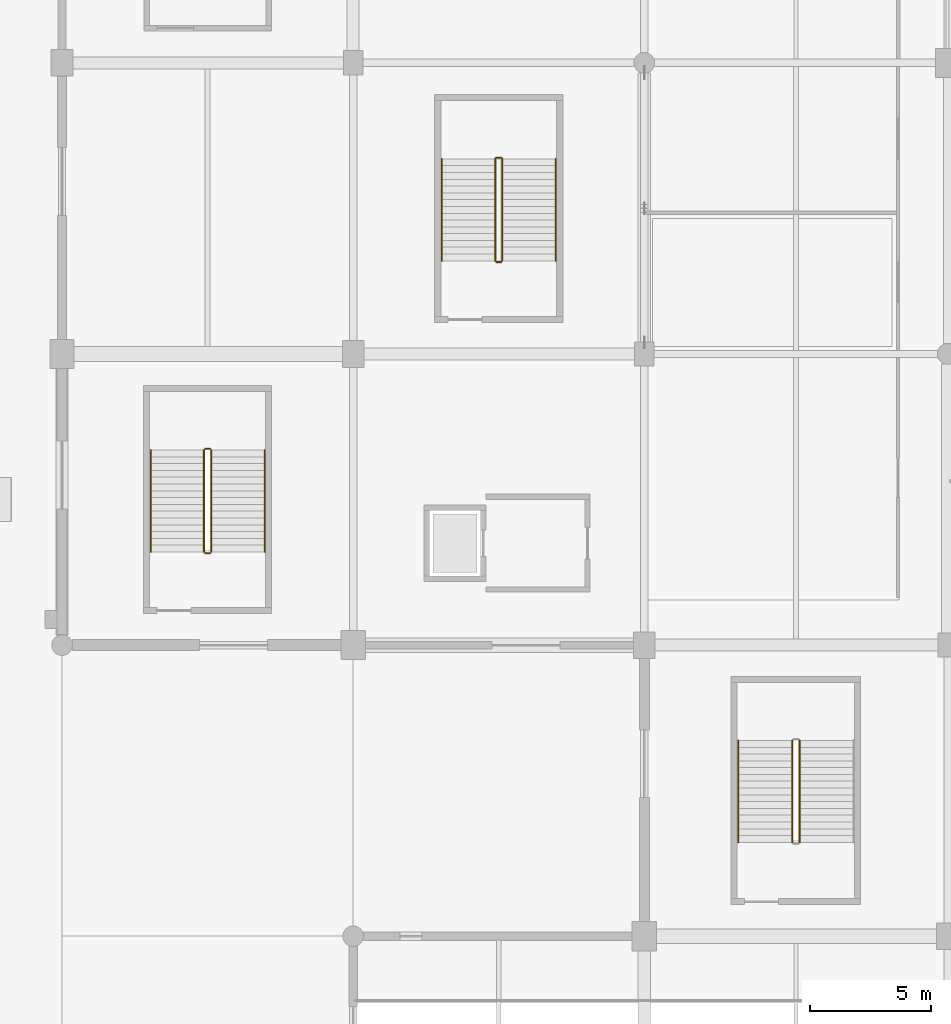
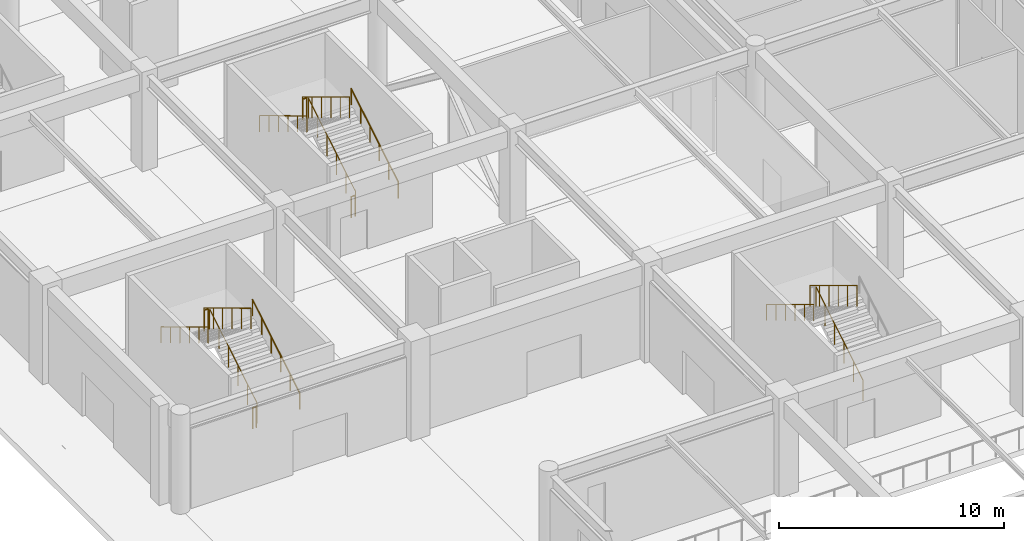
# One storey, part 41 of 69: 15 railings.
"""IFC4 building model written with IfcOpenShell, lengths in metres."""

from ifc_helpers import new_model, si_unit, direction, frame, origin, origin_2d, place, context, subcontext, project, spatial, circle, extrude, material, layer, layer_set, type_object, element, save


model = new_model("IFC4")

# Units and contexts
model_context = context("Model", 3, precision=1e-05, world=origin(), true_north=direction((0.0, 1.0)))
body_context = subcontext(model_context, "Body", "Model", "MODEL_VIEW")
ifc_project = project(units=[si_unit("LENGTHUNIT", "METRE"), si_unit("AREAUNIT", "SQUARE_METRE"), si_unit("VOLUMEUNIT", "CUBIC_METRE"), si_unit("PLANEANGLEUNIT", "RADIAN"), si_unit("MASSUNIT", "GRAM", prefix="KILO")], contexts=[model_context])

# Site, building, storey
site_placement = place(None, origin())
site = spatial("IfcSite", under=ifc_project, at=site_placement, CompositionType="ELEMENT")
building_placement = place(site_placement, origin())
building = spatial("IfcBuilding", under=site, at=building_placement, Name="Kazenohara Klinker Stadium", CompositionType="ELEMENT")
storey_placement = place(building_placement, origin())
storey = spatial("IfcBuildingStorey", under=building, at=storey_placement, Name="L00", CompositionType="ELEMENT", Elevation=0.0)

# Railings
ifc_material_1 = material(Name="Brushed stainless steel 304 handrail", Category="steel")
ifc_layer_1 = layer(ifc_material_1, 0.050048828125)
ifc_layer_set_1 = layer_set([ifc_layer_1], Name="Brushed stainless steel 304 handrail")
railing_type_1 = type_object("IfcRailingType", Name="RL-HND-900", PredefinedType="HANDRAIL", material=ifc_layer_set_1)
railing_1_placement = place(storey_placement, frame((8.35009765625, 39.840087890625, 0.168701171875)))
element("IfcRailing", 1, at=railing_1_placement, inside=storey, type_object=railing_type_1, Name="L00 ST01 stair handrail 1", PredefinedType="HANDRAIL", context=body_context, shape_type="SweptSolid", body=[
    extrude(circle(Radius=0.02392578125, at=origin_2d()), frame((0.0, 0.0, 0.8759765625), z_axis=(0.0, 0.856476492594, 0.516186030065), x_axis=(-1.0, 0.0, 0.0)), (0.0, 0.0, 1.0), 4.90380859375),
    extrude(circle(Radius=0.02099609375, at=origin_2d()), origin(), (0.0, 0.0, 1.0), 0.851806640625),
    extrude(circle(Radius=0.02099609375, at=origin_2d()), frame((0.0, 0.840087890625, 0.50634765625)), (0.0, 0.0, 1.0), 0.851806640625),
    extrude(circle(Radius=0.02099609375, at=origin_2d()), frame((0.0, 1.679931640625, 1.012451171875)), (0.0, 0.0, 1.0), 0.851806640625),
    extrude(circle(Radius=0.02099609375, at=origin_2d()), frame((0.0, 2.52001953125, 1.518798828125)), (0.0, 0.0, 1.0), 0.851806640625),
    extrude(circle(Radius=0.02099609375, at=origin_2d()), frame((0.0, 3.35986328125, 2.02490234375)), (0.0, 0.0, 1.0), 0.851806640625),
    extrude(circle(Radius=0.02099609375, at=origin_2d()), frame((0.0, 4.199951171875, 2.53125)), (0.0, 0.0, 1.0), 0.851806640625),
])
for number, where, name in (
    (2, (3.64990234375, 44.0400390625, 2.86865234375), "L00 ST01 stair handrail 2"),
    (3, (27.8701171875, 32.070068359375, 2.86865234375), "L00 ST07 stair handrail 2"),
):
    element("IfcRailing", number, at=place(storey_placement, frame(where)), inside=storey, type_object=railing_type_1, Name=name, PredefinedType="HANDRAIL", context=body_context, shape_type="SweptSolid", body=[
        extrude(circle(Radius=0.02392578125, at=origin_2d()), frame((0.0, 0.0, 0.8759765625), z_axis=(0.0, -0.856476492594, 0.516186030065), x_axis=(1.0, 0.0, 0.0)), (0.0, 0.0, 1.0), 4.90380859375),
        extrude(circle(Radius=0.02099609375, at=origin_2d()), origin(), (0.0, 0.0, 1.0), 0.851806640625),
        extrude(circle(Radius=0.02099609375, at=origin_2d()), frame((0.0, -0.840087890625, 0.50634765625)), (0.0, 0.0, 1.0), 0.851806640625),
        extrude(circle(Radius=0.02099609375, at=origin_2d()), frame((0.0, -1.679931640625, 1.012451171875)), (0.0, 0.0, 1.0), 0.851806640625),
        extrude(circle(Radius=0.02099609375, at=origin_2d()), frame((0.0, -2.52001953125, 1.518798828125)), (0.0, 0.0, 1.0), 0.851806640625),
        extrude(circle(Radius=0.02099609375, at=origin_2d()), frame((0.0, -3.35986328125, 2.02490234375)), (0.0, 0.0, 1.0), 0.851806640625),
        extrude(circle(Radius=0.02099609375, at=origin_2d()), frame((0.0, -4.199951171875, 2.53125)), (0.0, 0.0, 1.0), 0.851806640625),
    ])
railing_2_placement = place(storey_placement, frame((20.35009765625, 51.840087890625, 0.168701171875)))
element("IfcRailing", 4, at=railing_2_placement, inside=storey, type_object=railing_type_1, Name="L00 ST13 stair handrail 1", PredefinedType="HANDRAIL", context=body_context, shape_type="SweptSolid", body=[
    extrude(circle(Radius=0.02392578125, at=origin_2d()), frame((0.0, 0.0, 0.8759765625), z_axis=(0.0, 0.856476492594, 0.516186030065), x_axis=(-1.0, 0.0, 0.0)), (0.0, 0.0, 1.0), 4.90380859375),
    extrude(circle(Radius=0.02099609375, at=origin_2d()), origin(), (0.0, 0.0, 1.0), 0.851806640625),
    extrude(circle(Radius=0.02099609375, at=origin_2d()), frame((0.0, 0.840087890625, 0.50634765625)), (0.0, 0.0, 1.0), 0.851806640625),
    extrude(circle(Radius=0.02099609375, at=origin_2d()), frame((0.0, 1.679931640625, 1.012451171875)), (0.0, 0.0, 1.0), 0.851806640625),
    extrude(circle(Radius=0.02099609375, at=origin_2d()), frame((0.0, 2.52001953125, 1.518798828125)), (0.0, 0.0, 1.0), 0.851806640625),
    extrude(circle(Radius=0.02099609375, at=origin_2d()), frame((0.0, 3.35986328125, 2.02490234375)), (0.0, 0.0, 1.0), 0.851806640625),
    extrude(circle(Radius=0.02099609375, at=origin_2d()), frame((0.0, 4.199951171875, 2.53125)), (0.0, 0.0, 1.0), 0.851806640625),
])
railing_3_placement = place(storey_placement, frame((15.64990234375, 56.0400390625, 2.86865234375)))
element("IfcRailing", 5, at=railing_3_placement, inside=storey, type_object=railing_type_1, Name="L00 ST13 stair handrail 2", PredefinedType="HANDRAIL", context=body_context, shape_type="SweptSolid", body=[
    extrude(circle(Radius=0.02392578125, at=origin_2d()), frame((0.0, 0.0, 0.8759765625), z_axis=(0.0, -0.856476492594, 0.516186030065), x_axis=(1.0, 0.0, 0.0)), (0.0, 0.0, 1.0), 4.90380859375),
    extrude(circle(Radius=0.02099609375, at=origin_2d()), origin(), (0.0, 0.0, 1.0), 0.851806640625),
    extrude(circle(Radius=0.02099609375, at=origin_2d()), frame((0.0, -0.840087890625, 0.50634765625)), (0.0, 0.0, 1.0), 0.851806640625),
    extrude(circle(Radius=0.02099609375, at=origin_2d()), frame((0.0, -1.679931640625, 1.012451171875)), (0.0, 0.0, 1.0), 0.851806640625),
    extrude(circle(Radius=0.02099609375, at=origin_2d()), frame((0.0, -2.52001953125, 1.518798828125)), (0.0, 0.0, 1.0), 0.851806640625),
    extrude(circle(Radius=0.02099609375, at=origin_2d()), frame((0.0, -3.35986328125, 2.02490234375)), (0.0, 0.0, 1.0), 0.851806640625),
    extrude(circle(Radius=0.02099609375, at=origin_2d()), frame((0.0, -4.199951171875, 2.53125)), (0.0, 0.0, 1.0), 0.851806640625),
])
ifc_material_2 = material(Name="Painted steel stairwell guardrail", Category="steel")
ifc_layer_2 = layer(ifc_material_2, 0.06005859375)
ifc_layer_set_2 = layer_set([ifc_layer_2], Name="Painted steel stairwell guardrail")
railing_type_2 = type_object("IfcRailingType", Name="RL-STG-1120", PredefinedType="GUARDRAIL", material=ifc_layer_set_2)
railing_4_placement = place(storey_placement, frame((6.14990234375, 39.840087890625, 0.168701171875)))
element("IfcRailing", 6, at=railing_4_placement, inside=storey, type_object=railing_type_2, Name="L00 ST01 stair guard 1", PredefinedType="GUARDRAIL", context=body_context, shape_type="SweptSolid", body=[
    extrude(circle(Radius=0.02392578125, at=origin_2d()), frame((0.0, 0.0, 1.1259765625), z_axis=(0.0, 0.856476492594, 0.516186030065), x_axis=(-1.0, 0.0, 0.0)), (0.0, 0.0, 1.0), 4.90380859375),
    extrude(circle(Radius=0.02099609375, at=origin_2d()), origin(), (0.0, 0.0, 1.0), 1.101806640625),
    extrude(circle(Radius=0.02099609375, at=origin_2d()), frame((0.0, 0.840087890625, 0.50634765625)), (0.0, 0.0, 1.0), 1.101806640625),
    extrude(circle(Radius=0.02099609375, at=origin_2d()), frame((0.0, 1.679931640625, 1.012451171875)), (0.0, 0.0, 1.0), 1.101806640625),
    extrude(circle(Radius=0.02099609375, at=origin_2d()), frame((0.0, 2.52001953125, 1.518798828125)), (0.0, 0.0, 1.0), 1.101806640625),
    extrude(circle(Radius=0.02099609375, at=origin_2d()), frame((0.0, 3.35986328125, 2.02490234375)), (0.0, 0.0, 1.0), 1.101806640625),
    extrude(circle(Radius=0.02099609375, at=origin_2d()), frame((0.0, 4.199951171875, 2.53125)), (0.0, 0.0, 1.0), 1.101806640625),
])
railing_5_placement = place(storey_placement, frame((6.10009765625, 44.090087890625, 2.699951171875)))
element("IfcRailing", 7, at=railing_5_placement, inside=storey, type_object=railing_type_2, Name="L00 ST01 stair guard 2", PredefinedType="GUARDRAIL", context=body_context, shape_type="SweptSolid", body=[
    extrude(circle(Radius=0.02392578125, at=origin_2d()), frame((0.0, 0.0, 1.1259765625), z_axis=(-1.0, 0.0, 0.0), x_axis=(0.0, -1.0, 0.0)), (0.0, 0.0, 1.0), 0.2001953125),
    extrude(circle(Radius=0.02099609375, at=origin_2d()), origin(), (0.0, 0.0, 1.0), 1.101806640625),
    extrude(circle(Radius=0.02099609375, at=origin_2d()), frame((-0.2001953125, 0.0, 0.0)), (0.0, 0.0, 1.0), 1.101806640625),
])
railing_6_placement = place(storey_placement, frame((5.85009765625, 44.0400390625, 2.86865234375)))
element("IfcRailing", 8, at=railing_6_placement, inside=storey, type_object=railing_type_2, Name="L00 ST01 stair guard 3", PredefinedType="GUARDRAIL", context=body_context, shape_type="SweptSolid", body=[
    extrude(circle(Radius=0.02392578125, at=origin_2d()), frame((0.0, 0.0, 1.1259765625), z_axis=(0.0, -0.856476492594, 0.516186030065), x_axis=(1.0, 0.0, 0.0)), (0.0, 0.0, 1.0), 4.90380859375),
    extrude(circle(Radius=0.02099609375, at=origin_2d()), origin(), (0.0, 0.0, 1.0), 1.101806640625),
    extrude(circle(Radius=0.02099609375, at=origin_2d()), frame((0.0, -0.840087890625, 0.50634765625)), (0.0, 0.0, 1.0), 1.101806640625),
    extrude(circle(Radius=0.02099609375, at=origin_2d()), frame((0.0, -1.679931640625, 1.012451171875)), (0.0, 0.0, 1.0), 1.101806640625),
    extrude(circle(Radius=0.02099609375, at=origin_2d()), frame((0.0, -2.52001953125, 1.518798828125)), (0.0, 0.0, 1.0), 1.101806640625),
    extrude(circle(Radius=0.02099609375, at=origin_2d()), frame((0.0, -3.35986328125, 2.02490234375)), (0.0, 0.0, 1.0), 1.101806640625),
    extrude(circle(Radius=0.02099609375, at=origin_2d()), frame((0.0, -4.199951171875, 2.53125)), (0.0, 0.0, 1.0), 1.101806640625),
])
railing_7_placement = place(storey_placement, frame((6.10009765625, 39.7900390625, 0.0)))
element("IfcRailing", 9, at=railing_7_placement, inside=storey, type_object=railing_type_2, Name="L00 ST01 stair guard 4", PredefinedType="GUARDRAIL", context=body_context, shape_type="SweptSolid", body=[
    extrude(circle(Radius=0.02392578125, at=origin_2d()), frame((0.0, 0.0, 1.1259765625), z_axis=(-1.0, 0.0, 0.0), x_axis=(0.0, -1.0, 0.0)), (0.0, 0.0, 1.0), 0.2001953125),
    extrude(circle(Radius=0.02099609375, at=origin_2d()), origin(), (0.0, 0.0, 1.0), 1.101806640625),
    extrude(circle(Radius=0.02099609375, at=origin_2d()), frame((-0.2001953125, 0.0, 0.0)), (0.0, 0.0, 1.0), 1.101806640625),
])
railing_8_placement = place(storey_placement, frame((30.39990234375, 27.8701171875, 0.168701171875)))
element("IfcRailing", 10, at=railing_8_placement, inside=storey, type_object=railing_type_2, Name="L00 ST07 stair guard 1", PredefinedType="GUARDRAIL", context=body_context, shape_type="SweptSolid", body=[
    extrude(circle(Radius=0.02392578125, at=origin_2d()), frame((0.0, 0.0, 1.1259765625), z_axis=(0.0, 0.856476492594, 0.516186030065), x_axis=(-1.0, 0.0, 0.0)), (0.0, 0.0, 1.0), 4.90380859375),
    extrude(circle(Radius=0.02099609375, at=origin_2d()), origin(), (0.0, 0.0, 1.0), 1.101806640625),
    extrude(circle(Radius=0.02099609375, at=origin_2d()), frame((0.0, 0.840087890625, 0.50634765625)), (0.0, 0.0, 1.0), 1.101806640625),
    extrude(circle(Radius=0.02099609375, at=origin_2d()), frame((0.0, 1.679931640625, 1.012451171875)), (0.0, 0.0, 1.0), 1.101806640625),
    extrude(circle(Radius=0.02099609375, at=origin_2d()), frame((0.0, 2.52001953125, 1.518798828125)), (0.0, 0.0, 1.0), 1.101806640625),
    extrude(circle(Radius=0.02099609375, at=origin_2d()), frame((0.0, 3.35986328125, 2.02490234375)), (0.0, 0.0, 1.0), 1.101806640625),
    extrude(circle(Radius=0.02099609375, at=origin_2d()), frame((0.0, 4.199951171875, 2.53125)), (0.0, 0.0, 1.0), 1.101806640625),
])
railing_9_placement = place(storey_placement, frame((30.10009765625, 32.070068359375, 2.86865234375)))
element("IfcRailing", 11, at=railing_9_placement, inside=storey, type_object=railing_type_2, Name="L00 ST07 stair guard 3", PredefinedType="GUARDRAIL", context=body_context, shape_type="SweptSolid", body=[
    extrude(circle(Radius=0.02392578125, at=origin_2d()), frame((0.0, 0.0, 1.1259765625), z_axis=(0.0, -0.856476492594, 0.516186030065), x_axis=(1.0, 0.0, 0.0)), (0.0, 0.0, 1.0), 4.90380859375),
    extrude(circle(Radius=0.02099609375, at=origin_2d()), origin(), (0.0, 0.0, 1.0), 1.101806640625),
    extrude(circle(Radius=0.02099609375, at=origin_2d()), frame((0.0, -0.840087890625, 0.50634765625)), (0.0, 0.0, 1.0), 1.101806640625),
    extrude(circle(Radius=0.02099609375, at=origin_2d()), frame((0.0, -1.679931640625, 1.012451171875)), (0.0, 0.0, 1.0), 1.101806640625),
    extrude(circle(Radius=0.02099609375, at=origin_2d()), frame((0.0, -2.52001953125, 1.518798828125)), (0.0, 0.0, 1.0), 1.101806640625),
    extrude(circle(Radius=0.02099609375, at=origin_2d()), frame((0.0, -3.35986328125, 2.02490234375)), (0.0, 0.0, 1.0), 1.101806640625),
    extrude(circle(Radius=0.02099609375, at=origin_2d()), frame((0.0, -4.199951171875, 2.53125)), (0.0, 0.0, 1.0), 1.101806640625),
])
railing_10_placement = place(storey_placement, frame((18.14990234375, 51.840087890625, 0.168701171875)))
element("IfcRailing", 12, at=railing_10_placement, inside=storey, type_object=railing_type_2, Name="L00 ST13 stair guard 1", PredefinedType="GUARDRAIL", context=body_context, shape_type="SweptSolid", body=[
    extrude(circle(Radius=0.02392578125, at=origin_2d()), frame((0.0, 0.0, 1.1259765625), z_axis=(0.0, 0.856476492594, 0.516186030065), x_axis=(-1.0, 0.0, 0.0)), (0.0, 0.0, 1.0), 4.90380859375),
    extrude(circle(Radius=0.02099609375, at=origin_2d()), origin(), (0.0, 0.0, 1.0), 1.101806640625),
    extrude(circle(Radius=0.02099609375, at=origin_2d()), frame((0.0, 0.840087890625, 0.50634765625)), (0.0, 0.0, 1.0), 1.101806640625),
    extrude(circle(Radius=0.02099609375, at=origin_2d()), frame((0.0, 1.679931640625, 1.012451171875)), (0.0, 0.0, 1.0), 1.101806640625),
    extrude(circle(Radius=0.02099609375, at=origin_2d()), frame((0.0, 2.52001953125, 1.518798828125)), (0.0, 0.0, 1.0), 1.101806640625),
    extrude(circle(Radius=0.02099609375, at=origin_2d()), frame((0.0, 3.35986328125, 2.02490234375)), (0.0, 0.0, 1.0), 1.101806640625),
    extrude(circle(Radius=0.02099609375, at=origin_2d()), frame((0.0, 4.199951171875, 2.53125)), (0.0, 0.0, 1.0), 1.101806640625),
])
railing_11_placement = place(storey_placement, frame((18.10009765625, 56.090087890625, 2.699951171875)))
element("IfcRailing", 13, at=railing_11_placement, inside=storey, type_object=railing_type_2, Name="L00 ST13 stair guard 2", PredefinedType="GUARDRAIL", context=body_context, shape_type="SweptSolid", body=[
    extrude(circle(Radius=0.02392578125, at=origin_2d()), frame((0.0, 0.0, 1.1259765625), z_axis=(-1.0, 0.0, 0.0), x_axis=(0.0, -1.0, 0.0)), (0.0, 0.0, 1.0), 0.2001953125),
    extrude(circle(Radius=0.02099609375, at=origin_2d()), origin(), (0.0, 0.0, 1.0), 1.101806640625),
    extrude(circle(Radius=0.02099609375, at=origin_2d()), frame((-0.2001953125, 0.0, 0.0)), (0.0, 0.0, 1.0), 1.101806640625),
])
railing_12_placement = place(storey_placement, frame((17.85009765625, 56.0400390625, 2.86865234375)))
element("IfcRailing", 14, at=railing_12_placement, inside=storey, type_object=railing_type_2, Name="L00 ST13 stair guard 3", PredefinedType="GUARDRAIL", context=body_context, shape_type="SweptSolid", body=[
    extrude(circle(Radius=0.02392578125, at=origin_2d()), frame((0.0, 0.0, 1.1259765625), z_axis=(0.0, -0.856476492594, 0.516186030065), x_axis=(1.0, 0.0, 0.0)), (0.0, 0.0, 1.0), 4.90380859375),
    extrude(circle(Radius=0.02099609375, at=origin_2d()), origin(), (0.0, 0.0, 1.0), 1.101806640625),
    extrude(circle(Radius=0.02099609375, at=origin_2d()), frame((0.0, -0.840087890625, 0.50634765625)), (0.0, 0.0, 1.0), 1.101806640625),
    extrude(circle(Radius=0.02099609375, at=origin_2d()), frame((0.0, -1.679931640625, 1.012451171875)), (0.0, 0.0, 1.0), 1.101806640625),
    extrude(circle(Radius=0.02099609375, at=origin_2d()), frame((0.0, -2.52001953125, 1.518798828125)), (0.0, 0.0, 1.0), 1.101806640625),
    extrude(circle(Radius=0.02099609375, at=origin_2d()), frame((0.0, -3.35986328125, 2.02490234375)), (0.0, 0.0, 1.0), 1.101806640625),
    extrude(circle(Radius=0.02099609375, at=origin_2d()), frame((0.0, -4.199951171875, 2.53125)), (0.0, 0.0, 1.0), 1.101806640625),
])
railing_13_placement = place(storey_placement, frame((18.10009765625, 51.7900390625, 0.0)))
element("IfcRailing", 15, at=railing_13_placement, inside=storey, type_object=railing_type_2, Name="L00 ST13 stair guard 4", PredefinedType="GUARDRAIL", context=body_context, shape_type="SweptSolid", body=[
    extrude(circle(Radius=0.02392578125, at=origin_2d()), frame((0.0, 0.0, 1.1259765625), z_axis=(-1.0, 0.0, 0.0), x_axis=(0.0, -1.0, 0.0)), (0.0, 0.0, 1.0), 0.2001953125),
    extrude(circle(Radius=0.02099609375, at=origin_2d()), origin(), (0.0, 0.0, 1.0), 1.101806640625),
    extrude(circle(Radius=0.02099609375, at=origin_2d()), frame((-0.2001953125, 0.0, 0.0)), (0.0, 0.0, 1.0), 1.101806640625),
])

save(model, "model.ifc")
